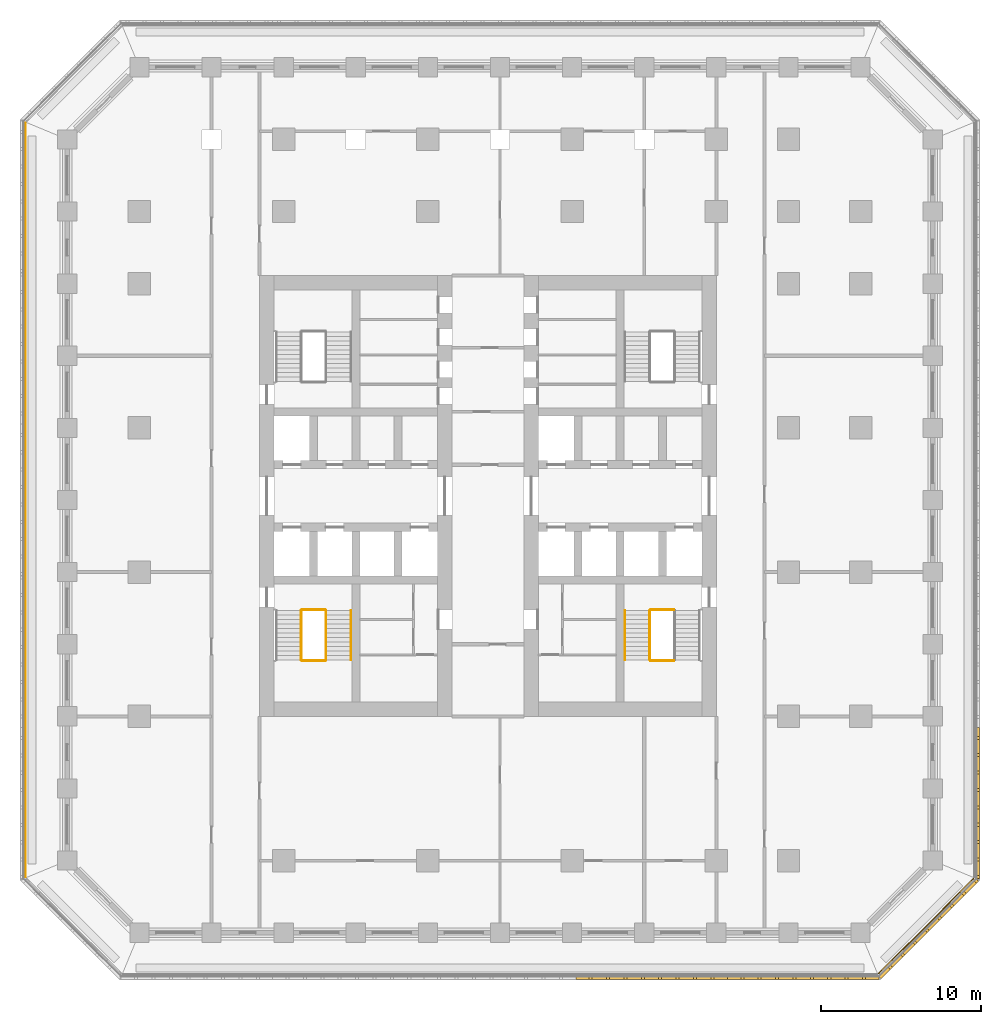
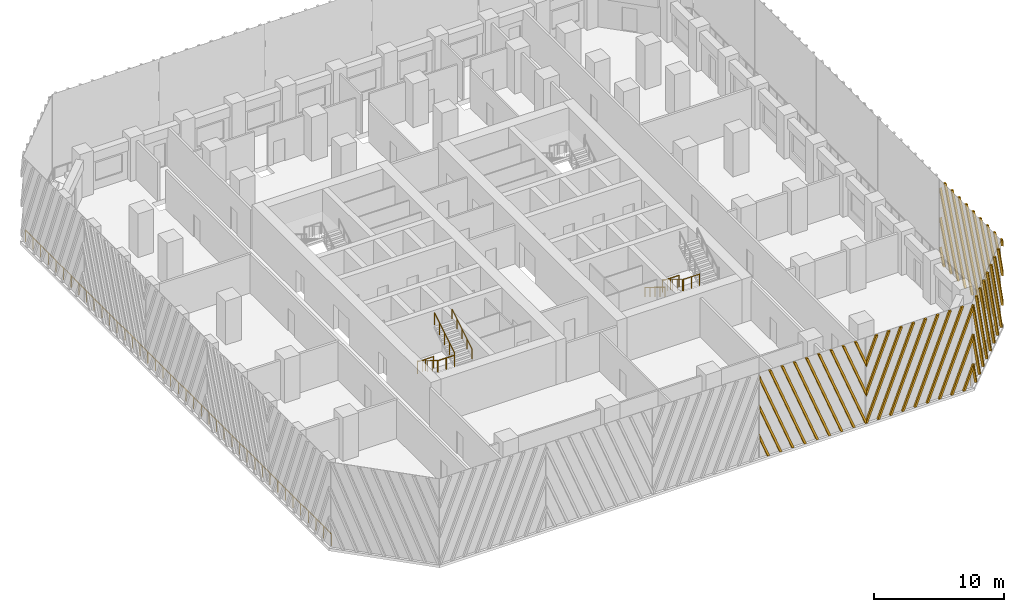
# One storey, part 12 of 19: 11 railings, 4 shading devices.
"""IFC4 building model written with IfcOpenShell, lengths in metres."""

from ifc_helpers import new_model, si_unit, direction, frame, origin, origin_2d, place, context, subcontext, project, spatial, polyline, circle, outline, extrude, source, transform, mapped, material, type_object, element, save


model = new_model("IFC4")

# Units and contexts
model_context = context("Model", 3, precision=1e-05, world=origin(), true_north=direction((0.0, 1.0)))
body_context = subcontext(model_context, "Body", "Model", "MODEL_VIEW")
ifc_project = project(units=[si_unit("LENGTHUNIT", "METRE"), si_unit("AREAUNIT", "SQUARE_METRE"), si_unit("VOLUMEUNIT", "CUBIC_METRE"), si_unit("PLANEANGLEUNIT", "RADIAN"), si_unit("MASSUNIT", "GRAM", prefix="KILO")], contexts=[model_context])

# Site, building, storey
site_placement = place(None, origin())
site = spatial("IfcSite", under=ifc_project, at=site_placement, CompositionType="ELEMENT")
building_placement = place(site_placement, origin())
building = spatial("IfcBuilding", under=site, at=building_placement, Name="Corbel Stack Research Tower", CompositionType="ELEMENT")
storey_placement = place(building_placement, frame((0.0, 0.0, 82.0)))
storey = spatial("IfcBuildingStorey", under=building, at=storey_placement, Name="L18", CompositionType="ELEMENT", Elevation=82.0)

# Railings
ifc_material_1 = material(Name="Steel S355", Category="steel")
railing_type_1 = type_object("IfcRailingType", Name="Stair guard 1100", PredefinedType="GUARDRAIL", material=ifc_material_1)
railing_1_placement = place(storey_placement, frame((-7.89990234375, -2.39990234375, 0.1708984375)))
element("IfcRailing", 1, at=railing_1_placement, inside=storey, type_object=railing_type_1, Name="L18 ST-W1 stair guard 1", PredefinedType="GUARDRAIL", context=body_context, shape_type="SweptSolid", body=[
    extrude(circle(Radius=0.02392578125, at=origin_2d()), frame((0.0, 0.0, 1.076171875), z_axis=(0.0, -0.853666305674, 0.52082035152), x_axis=(1.0, 0.0, 0.0)), (0.0, 0.0, 1.0), 3.608154296875),
    extrude(circle(Radius=0.02099609375, at=origin_2d()), origin(), (0.0, 0.0, 1.0), 1.052001953125),
    extrude(circle(Radius=0.02099609375, at=origin_2d()), frame((0.0, -0.77001953125, 0.4697265625)), (0.0, 0.0, 1.0), 1.052001953125),
    extrude(circle(Radius=0.02099609375, at=origin_2d()), frame((0.0, -1.5400390625, 0.939453125)), (0.0, 0.0, 1.0), 1.052001953125),
    extrude(circle(Radius=0.02099609375, at=origin_2d()), frame((0.0, -2.31005859375, 1.409423828125)), (0.0, 0.0, 1.0), 1.052001953125),
    extrude(circle(Radius=0.02099609375, at=origin_2d()), frame((0.0, -3.080078125, 1.879150390625)), (0.0, 0.0, 1.0), 1.052001953125),
])
railing_2_placement = place(storey_placement, frame((-7.85009765625, -5.530029296875, 2.050048828125)))
element("IfcRailing", 2, at=railing_2_placement, inside=storey, type_object=railing_type_1, Name="L18 ST-W1 stair guard 2", PredefinedType="GUARDRAIL", context=body_context, shape_type="SweptSolid", body=[
    extrude(circle(Radius=0.02392578125, at=origin_2d()), frame((0.0, 0.0, 1.076171875), z_axis=(1.0, 0.0, 0.0), x_axis=(0.0, 1.0, 0.0)), (0.0, 0.0, 1.0), 1.4501953125),
    extrude(circle(Radius=0.02099609375, at=origin_2d()), origin(), (0.0, 0.0, 1.0), 1.052001953125),
    extrude(circle(Radius=0.02099609375, at=origin_2d()), frame((0.72509765625, 0.0, 0.0)), (0.0, 0.0, 1.0), 1.052001953125),
    extrude(circle(Radius=0.02099609375, at=origin_2d()), frame((1.4501953125, 0.0, 0.0)), (0.0, 0.0, 1.0), 1.052001953125),
])
railing_3_placement = place(storey_placement, frame((-6.35009765625, -5.47998046875, 2.220947265625)))
element("IfcRailing", 3, at=railing_3_placement, inside=storey, type_object=railing_type_1, Name="L18 ST-W1 stair guard 4", PredefinedType="GUARDRAIL", context=body_context, shape_type="SweptSolid", body=[
    extrude(circle(Radius=0.02392578125, at=origin_2d()), frame((0.0, 0.0, 1.076171875), z_axis=(0.0, 0.853666305674, 0.52082035152), x_axis=(-1.0, 0.0, 0.0)), (0.0, 0.0, 1.0), 3.608154296875),
    extrude(circle(Radius=0.02099609375, at=origin_2d()), origin(), (0.0, 0.0, 1.0), 1.052001953125),
    extrude(circle(Radius=0.02099609375, at=origin_2d()), frame((0.0, 0.77001953125, 0.4697265625)), (0.0, 0.0, 1.0), 1.052001953125),
    extrude(circle(Radius=0.02099609375, at=origin_2d()), frame((0.0, 1.5400390625, 0.939453125)), (0.0, 0.0, 1.0), 1.052001953125),
    extrude(circle(Radius=0.02099609375, at=origin_2d()), frame((0.0, 2.31005859375, 1.409423828125)), (0.0, 0.0, 1.0), 1.052001953125),
    extrude(circle(Radius=0.02099609375, at=origin_2d()), frame((0.0, 3.080078125, 1.879150390625)), (0.0, 0.0, 1.0), 1.052001953125),
])
railing_4_placement = place(storey_placement, frame((-7.85009765625, -2.35009765625, 0.0)))
element("IfcRailing", 4, at=railing_4_placement, inside=storey, type_object=railing_type_1, Name="L18 ST-W1 stair guard 5", PredefinedType="GUARDRAIL", context=body_context, shape_type="SweptSolid", body=[
    extrude(circle(Radius=0.02392578125, at=origin_2d()), frame((0.0, 0.0, 1.076171875), z_axis=(1.0, 0.0, 0.0), x_axis=(0.0, 1.0, 0.0)), (0.0, 0.0, 1.0), 1.4501953125),
    extrude(circle(Radius=0.02099609375, at=origin_2d()), origin(), (0.0, 0.0, 1.0), 1.052001953125),
    extrude(circle(Radius=0.02099609375, at=origin_2d()), frame((0.72509765625, 0.0, 0.0)), (0.0, 0.0, 1.0), 1.052001953125),
    extrude(circle(Radius=0.02099609375, at=origin_2d()), frame((1.4501953125, 0.0, 0.0)), (0.0, 0.0, 1.0), 1.052001953125),
])
railing_5_placement = place(storey_placement, frame((13.85009765625, -2.39990234375, 0.1708984375)))
element("IfcRailing", 5, at=railing_5_placement, inside=storey, type_object=railing_type_1, Name="L18 ST-E1 stair guard 1", PredefinedType="GUARDRAIL", context=body_context, shape_type="SweptSolid", body=[
    extrude(circle(Radius=0.02392578125, at=origin_2d()), frame((0.0, 0.0, 1.076171875), z_axis=(0.0, -0.853666305674, 0.52082035152), x_axis=(1.0, 0.0, 0.0)), (0.0, 0.0, 1.0), 3.608154296875),
    extrude(circle(Radius=0.02099609375, at=origin_2d()), origin(), (0.0, 0.0, 1.0), 1.052001953125),
    extrude(circle(Radius=0.02099609375, at=origin_2d()), frame((0.0, -0.77001953125, 0.4697265625)), (0.0, 0.0, 1.0), 1.052001953125),
    extrude(circle(Radius=0.02099609375, at=origin_2d()), frame((0.0, -1.5400390625, 0.939453125)), (0.0, 0.0, 1.0), 1.052001953125),
    extrude(circle(Radius=0.02099609375, at=origin_2d()), frame((0.0, -2.31005859375, 1.409423828125)), (0.0, 0.0, 1.0), 1.052001953125),
    extrude(circle(Radius=0.02099609375, at=origin_2d()), frame((0.0, -3.080078125, 1.879150390625)), (0.0, 0.0, 1.0), 1.052001953125),
])
for number, where, name in (
    (6, (13.89990234375, -5.530029296875, 2.050048828125), "L18 ST-E1 stair guard 2"),
    (7, (13.89990234375, -2.35009765625, 0.0), "L18 ST-E1 stair guard 5"),
):
    element("IfcRailing", number, at=place(storey_placement, frame(where)), inside=storey, type_object=railing_type_1, Name=name, PredefinedType="GUARDRAIL", context=body_context, shape_type="SweptSolid", body=[
        extrude(circle(Radius=0.02392578125, at=origin_2d()), frame((0.0, 0.0, 1.076171875), z_axis=(1.0, 0.0, 0.0), x_axis=(0.0, 1.0, 0.0)), (0.0, 0.0, 1.0), 1.4501953125),
        extrude(circle(Radius=0.02099609375, at=origin_2d()), origin(), (0.0, 0.0, 1.0), 1.052001953125),
        extrude(circle(Radius=0.02099609375, at=origin_2d()), frame((0.72509765625, 0.0, 0.0)), (0.0, 0.0, 1.0), 1.052001953125),
        extrude(circle(Radius=0.02099609375, at=origin_2d()), frame((1.4501953125, 0.0, 0.0)), (0.0, 0.0, 1.0), 1.052001953125),
    ])
ifc_material_2 = material(Name="Steel S355", Category="steel")
railing_type_2 = type_object("IfcRailingType", Name="Stair handrail 900", PredefinedType="HANDRAIL", material=ifc_material_2)
railing_6_placement = place(storey_placement, frame((-4.800048828125, -5.47998046875, 2.220947265625)))
element("IfcRailing", 8, at=railing_6_placement, inside=storey, type_object=railing_type_2, Name="L18 ST-W1 stair handrail 2", PredefinedType="HANDRAIL", context=body_context, shape_type="SweptSolid", body=[
    extrude(circle(Radius=0.02392578125, at=origin_2d()), frame((0.0, 0.0, 0.8759765625), z_axis=(0.0, 0.853666305674, 0.52082035152), x_axis=(-1.0, 0.0, 0.0)), (0.0, 0.0, 1.0), 3.608154296875),
    extrude(circle(Radius=0.02099609375, at=origin_2d()), origin(), (0.0, 0.0, 1.0), 0.851806640625),
    extrude(circle(Radius=0.02099609375, at=origin_2d()), frame((0.0, 0.77001953125, 0.4697265625)), (0.0, 0.0, 1.0), 0.851806640625),
    extrude(circle(Radius=0.02099609375, at=origin_2d()), frame((0.0, 1.5400390625, 0.939453125)), (0.0, 0.0, 1.0), 0.851806640625),
    extrude(circle(Radius=0.02099609375, at=origin_2d()), frame((0.0, 2.31005859375, 1.409423828125)), (0.0, 0.0, 1.0), 0.851806640625),
    extrude(circle(Radius=0.02099609375, at=origin_2d()), frame((0.0, 3.080078125, 1.879150390625)), (0.0, 0.0, 1.0), 0.851806640625),
])
railing_7_placement = place(storey_placement, frame((12.300048828125, -2.39990234375, 0.1708984375)))
element("IfcRailing", 9, at=railing_7_placement, inside=storey, type_object=railing_type_2, Name="L18 ST-E1 stair handrail 1", PredefinedType="HANDRAIL", context=body_context, shape_type="SweptSolid", body=[
    extrude(circle(Radius=0.02392578125, at=origin_2d()), frame((0.0, 0.0, 0.8759765625), z_axis=(0.0, -0.853666305674, 0.52082035152), x_axis=(1.0, 0.0, 0.0)), (0.0, 0.0, 1.0), 3.608154296875),
    extrude(circle(Radius=0.02099609375, at=origin_2d()), origin(), (0.0, 0.0, 1.0), 0.851806640625),
    extrude(circle(Radius=0.02099609375, at=origin_2d()), frame((0.0, -0.77001953125, 0.4697265625)), (0.0, 0.0, 1.0), 0.851806640625),
    extrude(circle(Radius=0.02099609375, at=origin_2d()), frame((0.0, -1.5400390625, 0.939453125)), (0.0, 0.0, 1.0), 0.851806640625),
    extrude(circle(Radius=0.02099609375, at=origin_2d()), frame((0.0, -2.31005859375, 1.409423828125)), (0.0, 0.0, 1.0), 0.851806640625),
    extrude(circle(Radius=0.02099609375, at=origin_2d()), frame((0.0, -3.080078125, 1.879150390625)), (0.0, 0.0, 1.0), 0.851806640625),
])
ifc_material_3 = material(Name="Powder-coated steel guard", Category="steel")
railing_type_3 = type_object("IfcRailingType", Name="Steel and glass guard 1100", PredefinedType="GUARDRAIL", material=ifc_material_3)
railing_8_placement = place(storey_placement, frame((28.127685546875, -25.04931640625, 0.0)))
element("IfcRailing", 10, at=railing_8_placement, inside=storey, type_object=railing_type_3, Name="Loggia guard L18 SE", PredefinedType="GUARDRAIL", context=body_context, shape_type="SweptSolid", body=[
    extrude(circle(Radius=0.02392578125, at=origin_2d()), frame((0.0, 0.0, 1.076171875), z_axis=(0.707106781187, 0.707106781187, 0.0), x_axis=(-0.707106781187, 0.707106781187, 0.0)), (0.0, 0.0, 1.0), 8.37451171875),
    extrude(circle(Radius=0.02099609375, at=origin_2d()), origin(), (0.0, 0.0, 1.0), 1.052001953125),
    extrude(circle(Radius=0.02099609375, at=origin_2d()), frame((0.845947265625, 0.845947265625, 0.0)), (0.0, 0.0, 1.0), 1.052001953125),
    extrude(circle(Radius=0.02099609375, at=origin_2d()), frame((1.69189453125, 1.69189453125, 0.0)), (0.0, 0.0, 1.0), 1.052001953125),
    extrude(circle(Radius=0.02099609375, at=origin_2d()), frame((2.537841796875, 2.537841796875, 0.0)), (0.0, 0.0, 1.0), 1.052001953125),
    extrude(circle(Radius=0.02099609375, at=origin_2d()), frame((3.3837890625, 3.3837890625, 0.0)), (0.0, 0.0, 1.0), 1.052001953125),
    extrude(circle(Radius=0.02099609375, at=origin_2d()), frame((4.229736328125, 4.229736328125, 0.0)), (0.0, 0.0, 1.0), 1.052001953125),
    extrude(circle(Radius=0.02099609375, at=origin_2d()), frame((5.07568359375, 5.07568359375, 0.0)), (0.0, 0.0, 1.0), 1.052001953125),
    extrude(circle(Radius=0.02099609375, at=origin_2d()), frame((5.921630859375, 5.921630859375, 0.0)), (0.0, 0.0, 1.0), 1.052001953125),
])
railing_9_placement = place(storey_placement, frame((-25.10009765625, 28.00537109375, 0.0)))
element("IfcRailing", 11, at=railing_9_placement, inside=storey, type_object=railing_type_3, Name="Loggia guard L18 W", PredefinedType="GUARDRAIL", context=body_context, shape_type="SweptSolid", body=[
    extrude(circle(Radius=0.02392578125, at=origin_2d()), frame((0.0, 0.0, 1.076171875), z_axis=(0.0, -1.0, 0.0), x_axis=(1.0, 0.0, 0.0)), (0.0, 0.0, 1.0), 47.0107421875),
    extrude(circle(Radius=0.02099609375, at=origin_2d()), origin(), (0.0, 0.0, 1.0), 1.052001953125),
    extrude(circle(Radius=0.02099609375, at=origin_2d()), frame((0.0, -1.17529296875, 0.0)), (0.0, 0.0, 1.0), 1.052001953125),
    extrude(circle(Radius=0.02099609375, at=origin_2d()), frame((0.0, -2.3505859375, 0.0)), (0.0, 0.0, 1.0), 1.052001953125),
    extrude(circle(Radius=0.02099609375, at=origin_2d()), frame((0.0, -3.52587890625, 0.0)), (0.0, 0.0, 1.0), 1.052001953125),
    extrude(circle(Radius=0.02099609375, at=origin_2d()), frame((0.0, -4.701171875, 0.0)), (0.0, 0.0, 1.0), 1.052001953125),
    extrude(circle(Radius=0.02099609375, at=origin_2d()), frame((0.0, -5.87646484375, 0.0)), (0.0, 0.0, 1.0), 1.052001953125),
    extrude(circle(Radius=0.02099609375, at=origin_2d()), frame((0.0, -7.051513671875, 0.0)), (0.0, 0.0, 1.0), 1.052001953125),
    extrude(circle(Radius=0.02099609375, at=origin_2d()), frame((0.0, -8.226806640625, 0.0)), (0.0, 0.0, 1.0), 1.052001953125),
    extrude(circle(Radius=0.02099609375, at=origin_2d()), frame((0.0, -9.402099609375, 0.0)), (0.0, 0.0, 1.0), 1.052001953125),
    extrude(circle(Radius=0.02099609375, at=origin_2d()), frame((0.0, -10.577392578125, 0.0)), (0.0, 0.0, 1.0), 1.052001953125),
    extrude(circle(Radius=0.02099609375, at=origin_2d()), frame((0.0, -11.752685546875, 0.0)), (0.0, 0.0, 1.0), 1.052001953125),
    extrude(circle(Radius=0.02099609375, at=origin_2d()), frame((0.0, -12.927978515625, 0.0)), (0.0, 0.0, 1.0), 1.052001953125),
    extrude(circle(Radius=0.02099609375, at=origin_2d()), frame((0.0, -14.103271484375, 0.0)), (0.0, 0.0, 1.0), 1.052001953125),
    extrude(circle(Radius=0.02099609375, at=origin_2d()), frame((0.0, -15.278564453125, 0.0)), (0.0, 0.0, 1.0), 1.052001953125),
    extrude(circle(Radius=0.02099609375, at=origin_2d()), frame((0.0, -16.453857421875, 0.0)), (0.0, 0.0, 1.0), 1.052001953125),
    extrude(circle(Radius=0.02099609375, at=origin_2d()), frame((0.0, -17.62890625, 0.0)), (0.0, 0.0, 1.0), 1.052001953125),
    extrude(circle(Radius=0.02099609375, at=origin_2d()), frame((0.0, -18.80419921875, 0.0)), (0.0, 0.0, 1.0), 1.052001953125),
    extrude(circle(Radius=0.02099609375, at=origin_2d()), frame((0.0, -19.9794921875, 0.0)), (0.0, 0.0, 1.0), 1.052001953125),
    extrude(circle(Radius=0.02099609375, at=origin_2d()), frame((0.0, -21.15478515625, 0.0)), (0.0, 0.0, 1.0), 1.052001953125),
    extrude(circle(Radius=0.02099609375, at=origin_2d()), frame((0.0, -22.330078125, 0.0)), (0.0, 0.0, 1.0), 1.052001953125),
    extrude(circle(Radius=0.02099609375, at=origin_2d()), frame((0.0, -23.50537109375, 0.0)), (0.0, 0.0, 1.0), 1.052001953125),
    extrude(circle(Radius=0.02099609375, at=origin_2d()), frame((0.0, -24.6806640625, 0.0)), (0.0, 0.0, 1.0), 1.052001953125),
    extrude(circle(Radius=0.02099609375, at=origin_2d()), frame((0.0, -25.85595703125, 0.0)), (0.0, 0.0, 1.0), 1.052001953125),
    extrude(circle(Radius=0.02099609375, at=origin_2d()), frame((0.0, -27.03125, 0.0)), (0.0, 0.0, 1.0), 1.052001953125),
    extrude(circle(Radius=0.02099609375, at=origin_2d()), frame((0.0, -28.20654296875, 0.0)), (0.0, 0.0, 1.0), 1.052001953125),
    extrude(circle(Radius=0.02099609375, at=origin_2d()), frame((0.0, -29.3818359375, 0.0)), (0.0, 0.0, 1.0), 1.052001953125),
    extrude(circle(Radius=0.02099609375, at=origin_2d()), frame((0.0, -30.556884765625, 0.0)), (0.0, 0.0, 1.0), 1.052001953125),
    extrude(circle(Radius=0.02099609375, at=origin_2d()), frame((0.0, -31.732177734375, 0.0)), (0.0, 0.0, 1.0), 1.052001953125),
    extrude(circle(Radius=0.02099609375, at=origin_2d()), frame((0.0, -32.907470703125, 0.0)), (0.0, 0.0, 1.0), 1.052001953125),
    extrude(circle(Radius=0.02099609375, at=origin_2d()), frame((0.0, -34.082763671875, 0.0)), (0.0, 0.0, 1.0), 1.052001953125),
    extrude(circle(Radius=0.02099609375, at=origin_2d()), frame((0.0, -35.258056640625, 0.0)), (0.0, 0.0, 1.0), 1.052001953125),
    extrude(circle(Radius=0.02099609375, at=origin_2d()), frame((0.0, -36.433349609375, 0.0)), (0.0, 0.0, 1.0), 1.052001953125),
    extrude(circle(Radius=0.02099609375, at=origin_2d()), frame((0.0, -37.608642578125, 0.0)), (0.0, 0.0, 1.0), 1.052001953125),
    extrude(circle(Radius=0.02099609375, at=origin_2d()), frame((0.0, -38.783935546875, 0.0)), (0.0, 0.0, 1.0), 1.052001953125),
    extrude(circle(Radius=0.02099609375, at=origin_2d()), frame((0.0, -39.959228515625, 0.0)), (0.0, 0.0, 1.0), 1.052001953125),
    extrude(circle(Radius=0.02099609375, at=origin_2d()), frame((0.0, -41.13427734375, 0.0)), (0.0, 0.0, 1.0), 1.052001953125),
    extrude(circle(Radius=0.02099609375, at=origin_2d()), frame((0.0, -42.3095703125, 0.0)), (0.0, 0.0, 1.0), 1.052001953125),
    extrude(circle(Radius=0.02099609375, at=origin_2d()), frame((0.0, -43.48486328125, 0.0)), (0.0, 0.0, 1.0), 1.052001953125),
    extrude(circle(Radius=0.02099609375, at=origin_2d()), frame((0.0, -44.66015625, 0.0)), (0.0, 0.0, 1.0), 1.052001953125),
    extrude(circle(Radius=0.02099609375, at=origin_2d()), frame((0.0, -45.83544921875, 0.0)), (0.0, 0.0, 1.0), 1.052001953125),
    extrude(circle(Radius=0.02099609375, at=origin_2d()), frame((0.0, -47.0107421875, 0.0)), (0.0, 0.0, 1.0), 1.052001953125),
])

# Shading devices
ifc_material_4 = material(Name="Precast terracotta", Category="masonry")
shading_device_type = type_object("IfcShadingDeviceType", Name="Terracotta screen panel", PredefinedType="USERDEFINED", material=ifc_material_4)
shared_shape_1 = source(origin(), body_context, "Body", "SweptSolid", [
    extrude(outline(polyline([(1.030517578125, 7.949951171875), (0.840576171875, 7.949951171875), (0.0, 5.7978515625), (0.0, 5.311279296875), (1.030517578125, 7.949951171875)])), frame((0.0, 0.0, 0.0), z_axis=(0.0, -1.0, 0.0), x_axis=(1.0, 0.0, 0.0)), (0.0, 0.0, 1.0), 0.179931640625),
    extrude(outline(polyline([(2.115234375, 7.949951171875), (1.92529296875, 7.949951171875), (0.0, 3.0205078125), (0.0, 2.533935546875), (2.115234375, 7.949951171875)])), frame((0.0, 0.0, 0.0), z_axis=(0.0, -1.0, 0.0), x_axis=(1.0, 0.0, 0.0)), (0.0, 0.0, 1.0), 0.179931640625),
    extrude(outline(polyline([(0.094970703125, 0.0), (3.199951171875, 7.949951171875), (3.010009765625, 7.949951171875), (0.0, 0.2431640625), (0.0, 0.0), (0.094970703125, 0.0)])), frame((0.0, 0.0, 0.0), z_axis=(0.0, -1.0, 0.0), x_axis=(1.0, 0.0, 0.0)), (0.0, 0.0, 1.0), 0.179931640625),
    extrude(outline(polyline([(1.1796875, 0.0), (4.284423828125, 7.949951171875), (4.094482421875, 7.949951171875), (0.98974609375, 0.0), (1.1796875, 0.0)])), frame((0.0, 0.0, 0.0), z_axis=(0.0, -1.0, 0.0), x_axis=(1.0, 0.0, 0.0)), (0.0, 0.0, 1.0), 0.179931640625),
    extrude(outline(polyline([(2.264404296875, 0.0), (5.369140625, 7.949951171875), (5.17919921875, 7.949951171875), (2.07421875, 0.0), (2.264404296875, 0.0)])), frame((0.0, 0.0, 0.0), z_axis=(0.0, -1.0, 0.0), x_axis=(1.0, 0.0, 0.0)), (0.0, 0.0, 1.0), 0.179931640625),
    extrude(outline(polyline([(3.34912109375, 0.0), (6.453857421875, 7.949951171875), (6.263916015625, 7.949951171875), (3.158935546875, 0.0), (3.34912109375, 0.0)])), frame((0.0, 0.0, 0.0), z_axis=(0.0, -1.0, 0.0), x_axis=(1.0, 0.0, 0.0)), (0.0, 0.0, 1.0), 0.179931640625),
    extrude(outline(polyline([(4.43359375, 0.0), (7.53857421875, 7.949951171875), (7.348388671875, 7.949951171875), (4.24365234375, 0.0), (4.43359375, 0.0)])), frame((0.0, 0.0, 0.0), z_axis=(0.0, -1.0, 0.0), x_axis=(1.0, 0.0, 0.0)), (0.0, 0.0, 1.0), 0.179931640625),
    extrude(outline(polyline([(5.518310546875, 0.0), (8.623291015625, 7.949951171875), (8.43310546875, 7.949951171875), (5.328369140625, 0.0), (5.518310546875, 0.0)])), frame((0.0, 0.0, 0.0), z_axis=(0.0, -1.0, 0.0), x_axis=(1.0, 0.0, 0.0)), (0.0, 0.0, 1.0), 0.179931640625),
    extrude(outline(polyline([(6.60302734375, 0.0), (9.45556640625, 7.30419921875), (9.45556640625, 7.790771484375), (6.4130859375, 0.0), (6.60302734375, 0.0)])), frame((0.0, 0.0, 0.0), z_axis=(0.0, -1.0, 0.0), x_axis=(1.0, 0.0, 0.0)), (0.0, 0.0, 1.0), 0.179931640625),
    extrude(outline(polyline([(7.687744140625, 0.0), (9.45556640625, 4.52685546875), (9.45556640625, 5.013427734375), (7.497802734375, 0.0), (7.687744140625, 0.0)])), frame((0.0, 0.0, 0.0), z_axis=(0.0, -1.0, 0.0), x_axis=(1.0, 0.0, 0.0)), (0.0, 0.0, 1.0), 0.179931640625),
    extrude(outline(polyline([(8.772216796875, 0.0), (9.45556640625, 1.74951171875), (9.45556640625, 2.236083984375), (8.582275390625, 0.0), (8.772216796875, 0.0)])), frame((0.0, 0.0, 0.0), z_axis=(0.0, -1.0, 0.0), x_axis=(1.0, 0.0, 0.0)), (0.0, 0.0, 1.0), 0.179931640625),
])
shading_device_1_placement = place(storey_placement, frame((18.68359375, -25.25, 0.0), z_axis=(0.0, 0.0, 1.0), x_axis=(1.0, 0.0, 0.0)))
element("IfcShadingDevice", 12, at=shading_device_1_placement, inside=storey, type_object=shading_device_type, Name="Terracotta screen L18 S5", ObjectType="SCREEN", PredefinedType="USERDEFINED", context=body_context, shape_type="MappedRepresentation", body=[
    mapped(shared_shape_1, transform((0.0, 0.0, 0.0))),
])
shared_shape_2 = source(origin(), body_context, "Body", "SweptSolid", [
    extrude(outline(polyline([(0.873291015625, 0.0), (0.0, 2.236083984375), (0.0, 1.74951171875), (0.683349609375, 0.0), (0.873291015625, 0.0)])), frame((0.0, 0.0, 0.0), z_axis=(0.0, -1.0, 0.0), x_axis=(1.0, 0.0, 0.0)), (0.0, 0.0, 1.0), 0.179931640625),
    extrude(outline(polyline([(1.9580078125, 0.0), (0.0, 5.013427734375), (0.0, 4.52685546875), (1.76806640625, 0.0), (1.9580078125, 0.0)])), frame((0.0, 0.0, 0.0), z_axis=(0.0, -1.0, 0.0), x_axis=(1.0, 0.0, 0.0)), (0.0, 0.0, 1.0), 0.179931640625),
    extrude(outline(polyline([(3.04248046875, 0.0), (0.0, 7.790771484375), (0.0, 7.30419921875), (2.8525390625, 0.0), (3.04248046875, 0.0)])), frame((0.0, 0.0, 0.0), z_axis=(0.0, -1.0, 0.0), x_axis=(1.0, 0.0, 0.0)), (0.0, 0.0, 1.0), 0.179931640625),
    extrude(outline(polyline([(4.127197265625, 0.0), (1.0224609375, 7.949951171875), (0.83251953125, 7.949951171875), (3.937255859375, 0.0), (4.127197265625, 0.0)])), frame((0.0, 0.0, 0.0), z_axis=(0.0, -1.0, 0.0), x_axis=(1.0, 0.0, 0.0)), (0.0, 0.0, 1.0), 0.179931640625),
    extrude(outline(polyline([(5.2119140625, 0.0), (2.107177734375, 7.949951171875), (1.9169921875, 7.949951171875), (5.02197265625, 0.0), (5.2119140625, 0.0)])), frame((0.0, 0.0, 0.0), z_axis=(0.0, -1.0, 0.0), x_axis=(1.0, 0.0, 0.0)), (0.0, 0.0, 1.0), 0.179931640625),
    extrude(outline(polyline([(6.296630859375, 0.0), (3.19189453125, 7.949951171875), (3.001708984375, 7.949951171875), (6.106689453125, 0.0), (6.296630859375, 0.0)])), frame((0.0, 0.0, 0.0), z_axis=(0.0, -1.0, 0.0), x_axis=(1.0, 0.0, 0.0)), (0.0, 0.0, 1.0), 0.179931640625),
    extrude(outline(polyline([(7.38134765625, 0.0), (4.276611328125, 7.949951171875), (4.08642578125, 7.949951171875), (7.19140625, 0.0), (7.38134765625, 0.0)])), frame((0.0, 0.0, 0.0), z_axis=(0.0, -1.0, 0.0), x_axis=(1.0, 0.0, 0.0)), (0.0, 0.0, 1.0), 0.179931640625),
    extrude(outline(polyline([(8.466064453125, 0.0), (5.361083984375, 7.949951171875), (5.171142578125, 7.949951171875), (8.27587890625, 0.0), (8.466064453125, 0.0)])), frame((0.0, 0.0, 0.0), z_axis=(0.0, -1.0, 0.0), x_axis=(1.0, 0.0, 0.0)), (0.0, 0.0, 1.0), 0.179931640625),
    extrude(outline(polyline([(9.45556640625, 0.0), (9.45556640625, 0.2431640625), (6.44580078125, 7.949951171875), (6.255859375, 7.949951171875), (9.360595703125, 0.0), (9.45556640625, 0.0)])), frame((0.0, 0.0, 0.0), z_axis=(0.0, -1.0, 0.0), x_axis=(1.0, 0.0, 0.0)), (0.0, 0.0, 1.0), 0.179931640625),
    extrude(outline(polyline([(7.530517578125, 7.949951171875), (7.34033203125, 7.949951171875), (9.45556640625, 2.533935546875), (9.45556640625, 3.0205078125), (7.530517578125, 7.949951171875)])), frame((0.0, 0.0, 0.0), z_axis=(0.0, -1.0, 0.0), x_axis=(1.0, 0.0, 0.0)), (0.0, 0.0, 1.0), 0.179931640625),
    extrude(outline(polyline([(8.614990234375, 7.949951171875), (8.425048828125, 7.949951171875), (9.45556640625, 5.311279296875), (9.45556640625, 5.7978515625), (8.614990234375, 7.949951171875)])), frame((0.0, 0.0, 0.0), z_axis=(0.0, -1.0, 0.0), x_axis=(1.0, 0.0, 0.0)), (0.0, 0.0, 1.0), 0.179931640625),
])
shading_device_2_placement = place(storey_placement, frame((9.227783203125, -25.25, 0.0), z_axis=(0.0, 0.0, 1.0), x_axis=(1.0, 0.0, 0.0)))
element("IfcShadingDevice", 13, at=shading_device_2_placement, inside=storey, type_object=shading_device_type, Name="Terracotta screen L18 S4", ObjectType="SCREEN", PredefinedType="USERDEFINED", context=body_context, shape_type="MappedRepresentation", body=[
    mapped(shared_shape_2, transform((0.0, 0.0, 0.0))),
])
shared_shape_3 = source(origin(), body_context, "Body", "SweptSolid", [
    extrude(outline(polyline([(0.873291015625, 0.0), (0.0, 2.236083984375), (0.0, 1.74951171875), (0.683349609375, 0.0), (0.873291015625, 0.0)])), frame((0.0, 0.0, 0.0), z_axis=(0.0, -1.0, 0.0), x_axis=(1.0, 0.0, 0.0)), (0.0, 0.0, 1.0), 0.179931640625),
    extrude(outline(polyline([(1.9580078125, 0.0), (0.0, 5.013427734375), (0.0, 4.52685546875), (1.76806640625, 0.0), (1.9580078125, 0.0)])), frame((0.0, 0.0, 0.0), z_axis=(0.0, -1.0, 0.0), x_axis=(1.0, 0.0, 0.0)), (0.0, 0.0, 1.0), 0.179931640625),
    extrude(outline(polyline([(3.04248046875, 0.0), (0.0, 7.790771484375), (0.0, 7.30419921875), (2.8525390625, 0.0), (3.04248046875, 0.0)])), frame((0.0, 0.0, 0.0), z_axis=(0.0, -1.0, 0.0), x_axis=(1.0, 0.0, 0.0)), (0.0, 0.0, 1.0), 0.179931640625),
    extrude(outline(polyline([(4.127197265625, 0.0), (1.0224609375, 7.949951171875), (0.83251953125, 7.949951171875), (3.937255859375, 0.0), (4.127197265625, 0.0)])), frame((0.0, 0.0, 0.0), z_axis=(0.0, -1.0, 0.0), x_axis=(1.0, 0.0, 0.0)), (0.0, 0.0, 1.0), 0.179931640625),
    extrude(outline(polyline([(5.2119140625, 0.0), (2.107177734375, 7.949951171875), (1.9169921875, 7.949951171875), (5.02197265625, 0.0), (5.2119140625, 0.0)])), frame((0.0, 0.0, 0.0), z_axis=(0.0, -1.0, 0.0), x_axis=(1.0, 0.0, 0.0)), (0.0, 0.0, 1.0), 0.179931640625),
    extrude(outline(polyline([(6.296630859375, 0.0), (3.19189453125, 7.949951171875), (3.001708984375, 7.949951171875), (6.106689453125, 0.0), (6.296630859375, 0.0)])), frame((0.0, 0.0, 0.0), z_axis=(0.0, -1.0, 0.0), x_axis=(1.0, 0.0, 0.0)), (0.0, 0.0, 1.0), 0.179931640625),
    extrude(outline(polyline([(7.38134765625, 0.0), (4.276611328125, 7.949951171875), (4.08642578125, 7.949951171875), (7.19140625, 0.0), (7.38134765625, 0.0)])), frame((0.0, 0.0, 0.0), z_axis=(0.0, -1.0, 0.0), x_axis=(1.0, 0.0, 0.0)), (0.0, 0.0, 1.0), 0.179931640625),
    extrude(outline(polyline([(8.466064453125, 0.0), (5.361083984375, 7.949951171875), (5.171142578125, 7.949951171875), (8.27587890625, 0.0), (8.466064453125, 0.0)])), frame((0.0, 0.0, 0.0), z_axis=(0.0, -1.0, 0.0), x_axis=(1.0, 0.0, 0.0)), (0.0, 0.0, 1.0), 0.179931640625),
    extrude(outline(polyline([(6.44580078125, 7.949951171875), (6.255859375, 7.949951171875), (8.64208984375, 1.839599609375), (8.64208984375, 2.326171875), (6.44580078125, 7.949951171875)])), frame((0.0, 0.0, 0.0), z_axis=(0.0, -1.0, 0.0), x_axis=(1.0, 0.0, 0.0)), (0.0, 0.0, 1.0), 0.179931640625),
    extrude(outline(polyline([(7.530517578125, 7.949951171875), (7.34033203125, 7.949951171875), (8.64208984375, 4.616943359375), (8.64208984375, 5.103515625), (7.530517578125, 7.949951171875)])), frame((0.0, 0.0, 0.0), z_axis=(0.0, -1.0, 0.0), x_axis=(1.0, 0.0, 0.0)), (0.0, 0.0, 1.0), 0.179931640625),
    extrude(outline(polyline([(8.614990234375, 7.949951171875), (8.425048828125, 7.949951171875), (8.64208984375, 7.394287109375), (8.64208984375, 7.880859375), (8.614990234375, 7.949951171875)])), frame((0.0, 0.0, 0.0), z_axis=(0.0, -1.0, 0.0), x_axis=(1.0, 0.0, 0.0)), (0.0, 0.0, 1.0), 0.179931640625),
])
shading_device_3_placement = place(storey_placement, frame((28.13916015625, -25.25, 0.0), z_axis=(0.0, 0.0, 1.0), x_axis=(0.707106781187, 0.707106781187, 0.0)))
element("IfcShadingDevice", 14, at=shading_device_3_placement, inside=storey, type_object=shading_device_type, Name="Terracotta screen L18 SE1", ObjectType="SCREEN", PredefinedType="USERDEFINED", context=body_context, shape_type="MappedRepresentation", body=[
    mapped(shared_shape_3, transform((0.0, 0.0, 0.0))),
])
shared_shape_4 = source(origin(), body_context, "Body", "SweptSolid", [
    extrude(outline(polyline([(0.217041015625, 7.949951171875), (0.027099609375, 7.949951171875), (0.0, 7.880859375), (0.0, 7.394287109375), (0.217041015625, 7.949951171875)])), frame((0.0, 0.0, 0.0), z_axis=(0.0, -1.0, 0.0), x_axis=(1.0, 0.0, 0.0)), (0.0, 0.0, 1.0), 0.179931640625),
    extrude(outline(polyline([(1.3017578125, 7.949951171875), (1.11181640625, 7.949951171875), (0.0, 5.103515625), (0.0, 4.616943359375), (1.3017578125, 7.949951171875)])), frame((0.0, 0.0, 0.0), z_axis=(0.0, -1.0, 0.0), x_axis=(1.0, 0.0, 0.0)), (0.0, 0.0, 1.0), 0.179931640625),
    extrude(outline(polyline([(2.386474609375, 7.949951171875), (2.1962890625, 7.949951171875), (0.0, 2.326171875), (0.0, 1.839599609375), (2.386474609375, 7.949951171875)])), frame((0.0, 0.0, 0.0), z_axis=(0.0, -1.0, 0.0), x_axis=(1.0, 0.0, 0.0)), (0.0, 0.0, 1.0), 0.179931640625),
    extrude(outline(polyline([(0.3662109375, 0.0), (3.470947265625, 7.949951171875), (3.281005859375, 7.949951171875), (0.17626953125, 0.0), (0.3662109375, 0.0)])), frame((0.0, 0.0, 0.0), z_axis=(0.0, -1.0, 0.0), x_axis=(1.0, 0.0, 0.0)), (0.0, 0.0, 1.0), 0.179931640625),
    extrude(outline(polyline([(1.45068359375, 0.0), (4.5556640625, 7.949951171875), (4.36572265625, 7.949951171875), (1.2607421875, 0.0), (1.45068359375, 0.0)])), frame((0.0, 0.0, 0.0), z_axis=(0.0, -1.0, 0.0), x_axis=(1.0, 0.0, 0.0)), (0.0, 0.0, 1.0), 0.179931640625),
    extrude(outline(polyline([(2.535400390625, 0.0), (5.640380859375, 7.949951171875), (5.4501953125, 7.949951171875), (2.345458984375, 0.0), (2.535400390625, 0.0)])), frame((0.0, 0.0, 0.0), z_axis=(0.0, -1.0, 0.0), x_axis=(1.0, 0.0, 0.0)), (0.0, 0.0, 1.0), 0.179931640625),
    extrude(outline(polyline([(3.6201171875, 0.0), (6.72509765625, 7.949951171875), (6.534912109375, 7.949951171875), (3.43017578125, 0.0), (3.6201171875, 0.0)])), frame((0.0, 0.0, 0.0), z_axis=(0.0, -1.0, 0.0), x_axis=(1.0, 0.0, 0.0)), (0.0, 0.0, 1.0), 0.179931640625),
    extrude(outline(polyline([(4.704833984375, 0.0), (7.809814453125, 7.949951171875), (7.61962890625, 7.949951171875), (4.514892578125, 0.0), (4.704833984375, 0.0)])), frame((0.0, 0.0, 0.0), z_axis=(0.0, -1.0, 0.0), x_axis=(1.0, 0.0, 0.0)), (0.0, 0.0, 1.0), 0.179931640625),
    extrude(outline(polyline([(5.78955078125, 0.0), (8.894287109375, 7.949951171875), (8.704345703125, 7.949951171875), (5.599609375, 0.0), (5.78955078125, 0.0)])), frame((0.0, 0.0, 0.0), z_axis=(0.0, -1.0, 0.0), x_axis=(1.0, 0.0, 0.0)), (0.0, 0.0, 1.0), 0.179931640625),
    extrude(outline(polyline([(6.874267578125, 0.0), (9.45556640625, 6.60986328125), (9.45556640625, 7.096435546875), (6.68408203125, 0.0), (6.874267578125, 0.0)])), frame((0.0, 0.0, 0.0), z_axis=(0.0, -1.0, 0.0), x_axis=(1.0, 0.0, 0.0)), (0.0, 0.0, 1.0), 0.179931640625),
    extrude(outline(polyline([(7.958740234375, 0.0), (9.45556640625, 3.83251953125), (9.45556640625, 4.319091796875), (7.768798828125, 0.0), (7.958740234375, 0.0)])), frame((0.0, 0.0, 0.0), z_axis=(0.0, -1.0, 0.0), x_axis=(1.0, 0.0, 0.0)), (0.0, 0.0, 1.0), 0.179931640625),
    extrude(outline(polyline([(9.04345703125, 0.0), (9.45556640625, 1.055419921875), (9.45556640625, 1.541748046875), (8.853515625, 0.0), (9.04345703125, 0.0)])), frame((0.0, 0.0, 0.0), z_axis=(0.0, -1.0, 0.0), x_axis=(1.0, 0.0, 0.0)), (0.0, 0.0, 1.0), 0.179931640625),
])
shading_device_4_placement = place(storey_placement, frame((34.25, -19.13916015625, 0.0), z_axis=(0.0, 0.0, 1.0), x_axis=(0.0, 1.0, 0.0)))
element("IfcShadingDevice", 15, at=shading_device_4_placement, inside=storey, type_object=shading_device_type, Name="Terracotta screen L18 E1", ObjectType="SCREEN", PredefinedType="USERDEFINED", context=body_context, shape_type="MappedRepresentation", body=[
    mapped(shared_shape_4, transform((0.0, 0.0, 0.0))),
])

save(model, "model.ifc")
